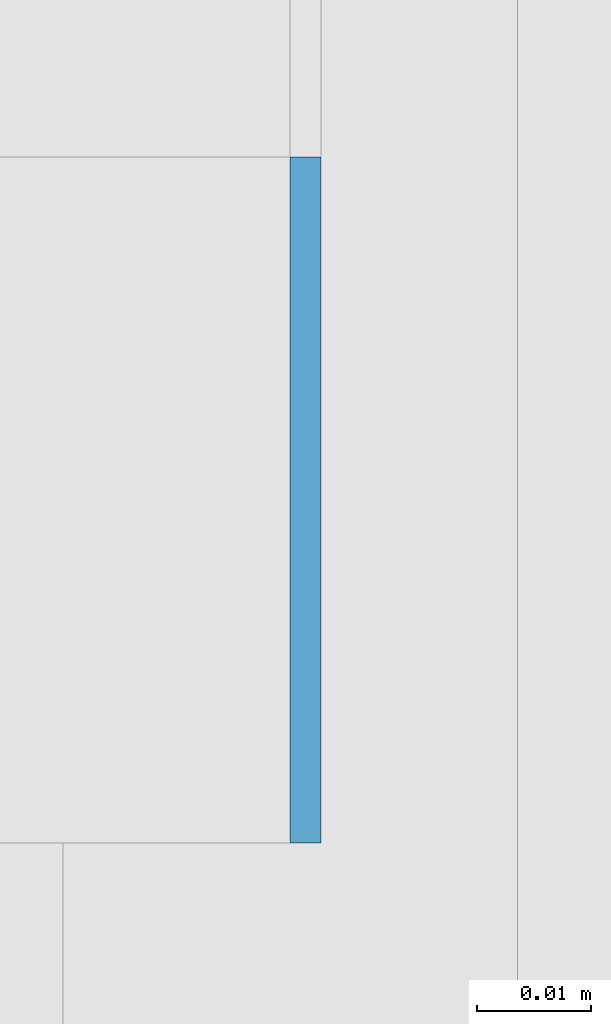
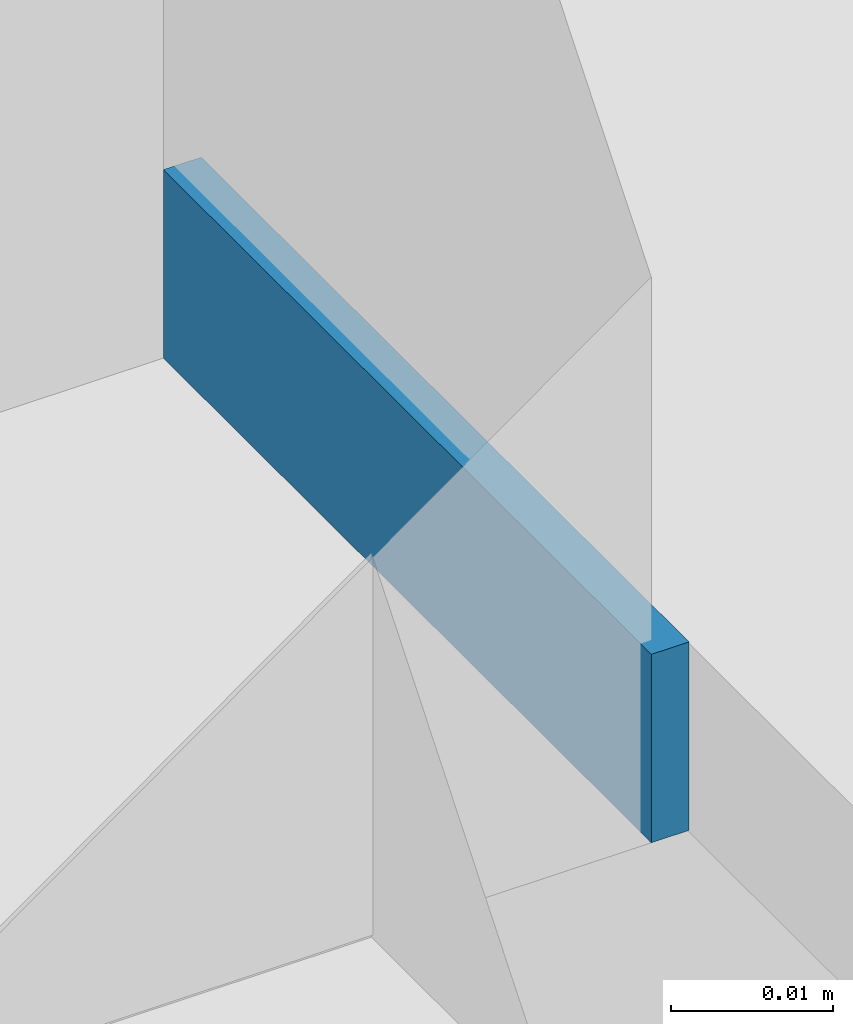
# One storey, part 426 of 646: 1 discrete accessory.
"""IFC4 building model written with IfcOpenShell, lengths in metres."""

from ifc_helpers import new_model, si_unit, direction, frame, origin, origin_2d, place, context, subcontext, project, spatial, rectangle, extrude, material, type_object, element, save


model = new_model("IFC4")

# Units and contexts
model_context = context("Model", 3, precision=1e-05, world=origin(), true_north=direction((0.0, 1.0)))
body_context = subcontext(model_context, "Body", "Model", "MODEL_VIEW")
ifc_project = project(units=[si_unit("LENGTHUNIT", "METRE"), si_unit("AREAUNIT", "SQUARE_METRE"), si_unit("VOLUMEUNIT", "CUBIC_METRE"), si_unit("PLANEANGLEUNIT", "RADIAN"), si_unit("MASSUNIT", "GRAM", prefix="KILO")], contexts=[model_context])

# Site, building, storey
site_placement = place(None, origin())
site = spatial("IfcSite", under=ifc_project, at=site_placement, CompositionType="ELEMENT")
building_placement = place(site_placement, origin())
building = spatial("IfcBuilding", under=site, at=building_placement, Name="Silverbay Arena", CompositionType="ELEMENT")
storey_placement = place(building_placement, frame((0.0, 0.0, 33.5)))
storey = spatial("IfcBuildingStorey", under=building, at=storey_placement, Name="L05", CompositionType="ELEMENT", Elevation=33.5)

# Discrete accessory
ifc_material = material(Name="Steel S355", Category="steel")
discrete_accessory_type = type_object("IfcDiscreteAccessoryType", Name="Steel bracket plate", PredefinedType="BRACKET", material=ifc_material)
discrete_accessory_placement = place(storey_placement, frame((53.871337890625, 134.570068359375, 4.0), z_axis=(0.0, 0.0, 1.0), x_axis=(1.0, 0.0, 0.0)))
element("IfcDiscreteAccessory", 1, at=discrete_accessory_placement, inside=storey, type_object=discrete_accessory_type, Name="Curtain wall packing plate", PredefinedType="BRACKET", context=body_context, shape_type="SweptSolid", body=[
    extrude(rectangle(XDim=0.002685546875, YDim=0.06005859375, at=origin_2d()), origin(), (0.0, 0.0, 1.0), 0.01416015625),
])

save(model, "model.ifc")
